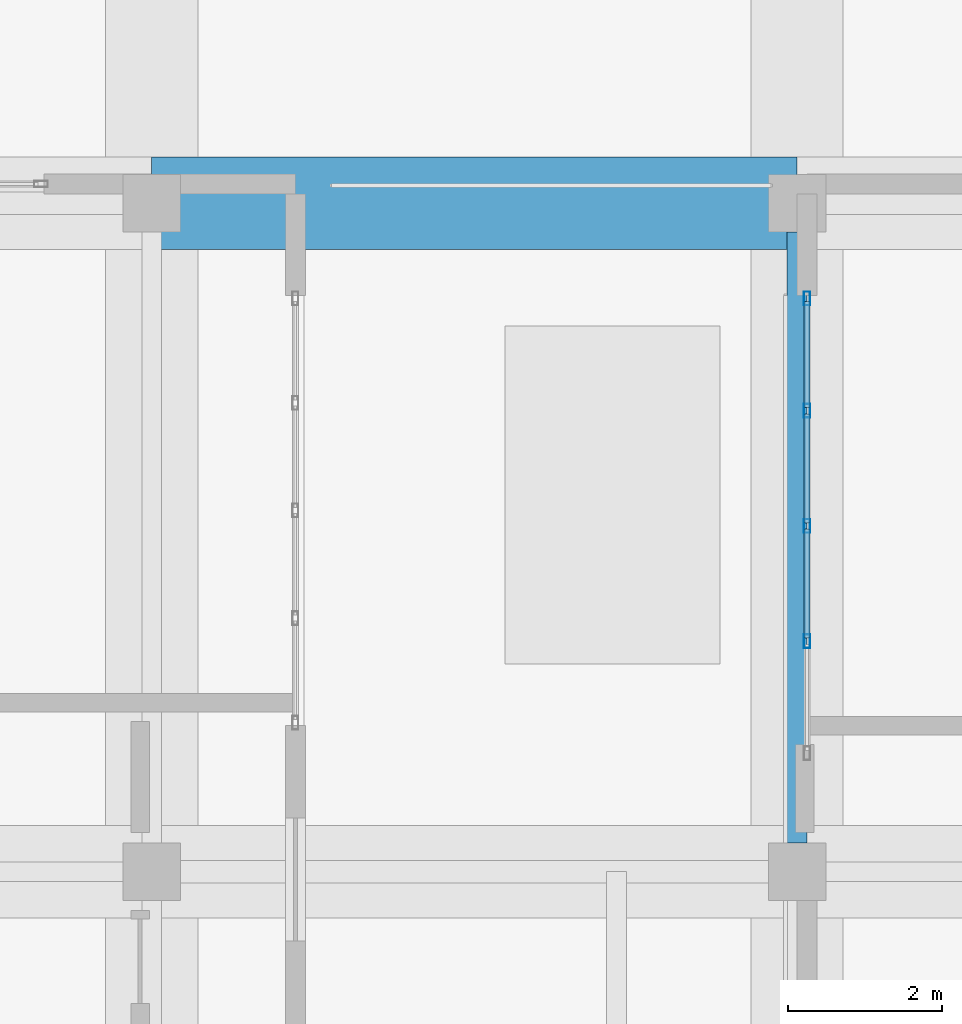
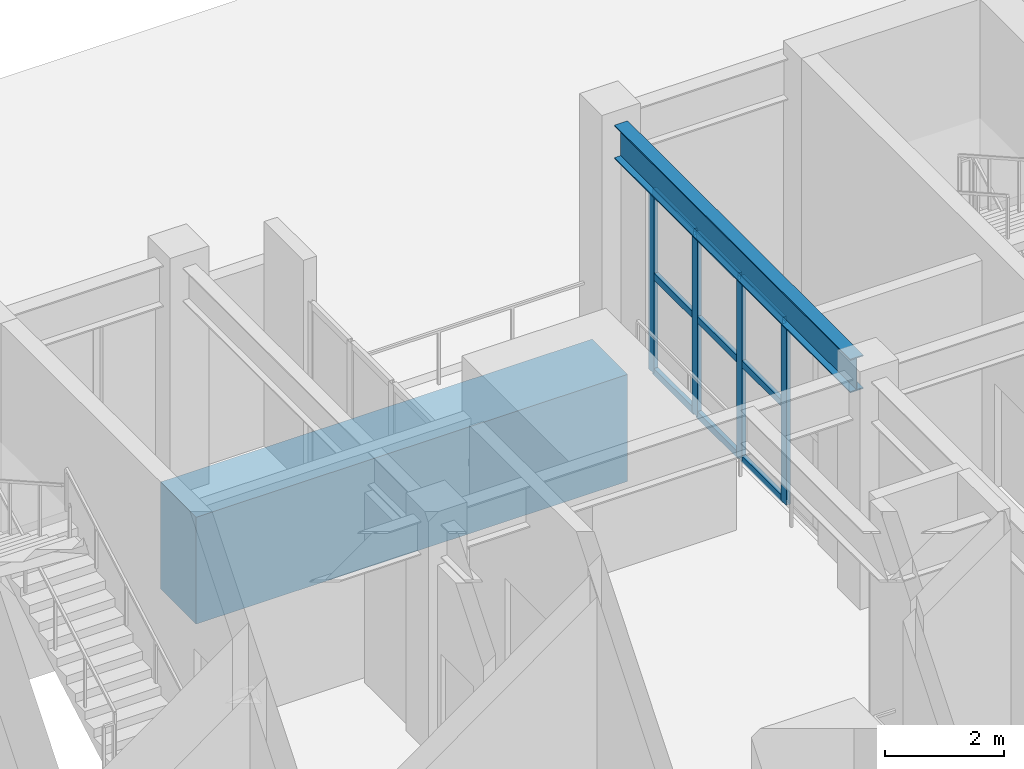
# One storey, part 11 of 16: 13 members, 2 beams, 1 element without a shape of its own.
"""IFC4 building model written with IfcOpenShell, lengths in metres."""

import ifcopenshell
import ifcopenshell.guid

model = None  # the IFC model being written
_history = None  # IfcOwnerHistory: only IFC2X3 demands one
_inside = {}  # id of a spatial element -> (the spatial element, [elements in it])
_under = {}  # id of a project, library or spatial element -> (it, [spatial elements below it])
_declared = {}  # id of a project -> (the project, [libraries it declares])
_typed = {}  # id of a type object -> (the type object, [elements of that type])
_made_of = {}  # id of a material, layer set ... -> (it, [elements and type objects made of it])


def new_model(schema):
    """Start an empty IFC model of exactly this schema.

    Asked for "IFC4X3", IfcOpenShell would pick the latest addendum, in which some entities
    have other attributes; the version numbers below select the first issue.
    IFC2X3 requires an IfcOwnerHistory on every rooted entity: one is made here for all.
    """
    global model, _history
    if schema == "IFC4X3":
        model = ifcopenshell.file(schema_version=(4, 3, 0, 0))
    else:
        model = ifcopenshell.file(schema=schema)
    _inside.clear()
    _under.clear()
    _declared.clear()
    _typed.clear()
    _made_of.clear()
    _history = None
    if model.schema == "IFC2X3":
        org = make("IfcOrganization", Name="unknown")
        user = make(
            "IfcPersonAndOrganization",
            ThePerson=make("IfcPerson", FamilyName="unknown"),
            TheOrganization=org,
        )
        app = make(
            "IfcApplication",
            ApplicationDeveloper=org,
            Version="unknown",
            ApplicationFullName="unknown",
            ApplicationIdentifier="unknown",
        )
        _history = make(
            "IfcOwnerHistory",
            OwningUser=user,
            OwningApplication=app,
            ChangeAction="ADDED",
            CreationDate=0,
        )
    return model


def make(cls, **values):
    """One entity of the class cls with the attributes given. An attribute that is None is left unset."""
    return model.create_entity(
        cls, **{name: value for name, value in values.items() if value is not None}
    )


def rooted(cls, **values):
    """An entity with a GlobalId (a new one), such as an element, a storey or a relation."""
    return make(cls, GlobalId=ifcopenshell.guid.new(), OwnerHistory=_history, **values)


def si_unit(unit_type, name, prefix=None):
    """IfcSIUnit, for example si_unit("LENGTHUNIT", "METRE", prefix="MILLI")."""
    return make("IfcSIUnit", UnitType=unit_type, Prefix=prefix, Name=name)


def assignment(units):
    """IfcUnitAssignment: the units of a project."""
    return None if units is None else make("IfcUnitAssignment", Units=units)


def point(xyz):
    """IfcCartesianPoint."""
    return None if xyz is None else make("IfcCartesianPoint", Coordinates=xyz)


def direction(xyz):
    """IfcDirection."""
    return None if xyz is None else make("IfcDirection", DirectionRatios=xyz)


def frame(location, z_axis=None, x_axis=None):
    """IfcAxis2Placement3D, a coordinate frame: its origin and axes. An axis left out is left unset."""
    return make(
        "IfcAxis2Placement3D",
        Location=point(location),
        Axis=direction(z_axis),
        RefDirection=direction(x_axis),
    )


def frame_2d(location, x_axis=None):
    """IfcAxis2Placement2D, a coordinate frame in the plane: its origin and x axis."""
    return make(
        "IfcAxis2Placement2D", Location=point(location), RefDirection=direction(x_axis)
    )


def origin():
    """The frame at (0, 0, 0) with its axes left unset."""
    return frame((0.0, 0.0, 0.0))


def origin_2d():
    """The frame at (0, 0) in the plane with its x axis left unset."""
    return frame_2d((0.0, 0.0))


def place(relative_to, where):
    """IfcLocalPlacement: puts the frame where relative to a parent placement (None: the world)."""
    return make(
        "IfcLocalPlacement", PlacementRelTo=relative_to, RelativePlacement=where
    )


def context(
    kind, dimensions, precision=None, world=None, true_north=None, identifier=None
):
    """IfcGeometricRepresentationContext, for example the 3D "Model" context."""
    return make(
        "IfcGeometricRepresentationContext",
        ContextIdentifier=identifier,
        ContextType=kind,
        CoordinateSpaceDimension=dimensions,
        Precision=precision,
        WorldCoordinateSystem=world,
        TrueNorth=true_north,
    )


def subcontext(parent, identifier, kind, view, scale=None):
    """IfcGeometricRepresentationSubContext, for example "Body" below "Model"."""
    return make(
        "IfcGeometricRepresentationSubContext",
        ContextIdentifier=identifier,
        ContextType=kind,
        ParentContext=parent,
        TargetScale=scale,
        TargetView=view,
    )


def project(units=None, contexts=None):
    """IfcProject with its units and contexts."""
    return rooted(
        "IfcProject",
        Name="project",
        RepresentationContexts=contexts,
        UnitsInContext=assignment(units),
    )


def spatial(cls, under=None, at=None, **own):
    """A site, building, storey or space (cls), placed at a placement, below another one or the project."""
    s = rooted(cls, ObjectPlacement=at, **own)
    if under is not None:
        _under.setdefault(under.id(), (under, []))[1].append(s)
    return s


def profile(cls, at=None, kind="AREA", **sizes):
    """A parametric profile (cls). Its sizes go by their IFC names, for example OverallWidth=200.0."""
    return make(cls, ProfileType=kind, Position=at, **sizes)


def rectangle(**sizes):
    """IfcRectangleProfileDef."""
    return profile("IfcRectangleProfileDef", **sizes)


def hollow_rectangle(**sizes):
    """IfcRectangleHollowProfileDef."""
    return profile("IfcRectangleHollowProfileDef", **sizes)


def i_section(**sizes):
    """IfcIShapeProfileDef."""
    return profile("IfcIShapeProfileDef", **sizes)


def extrude(swept, where, along, depth):
    """IfcExtrudedAreaSolid: the profile swept, set in the frame where, extruded along a direction by depth."""
    return make(
        "IfcExtrudedAreaSolid",
        SweptArea=swept,
        Position=where,
        ExtrudedDirection=direction(along),
        Depth=depth,
    )


def shape(context_of_items, identifier, shape_type, items):
    """IfcShapeRepresentation: the items that make up one representation, for example the "Body"."""
    return make(
        "IfcShapeRepresentation",
        ContextOfItems=context_of_items,
        RepresentationIdentifier=identifier,
        RepresentationType=shape_type,
        Items=items,
    )


def material(Name=None, Category=None):
    """IfcMaterial."""
    return make("IfcMaterial", Name=Name, Category=Category)


def layer(
    of_material, thickness, ventilated=None, Name=None, Category=None, Priority=None
):
    """IfcMaterialLayer: one layer of a wall or slab, of a material (None: an air gap)."""
    return make(
        "IfcMaterialLayer",
        Material=of_material,
        LayerThickness=thickness,
        IsVentilated=ventilated,
        Name=Name,
        Category=Category,
        Priority=Priority,
    )


def layer_set(layers, Name=None):
    """IfcMaterialLayerSet."""
    return make("IfcMaterialLayerSet", MaterialLayers=layers, LayerSetName=Name)


def material_profile(
    of_material, cross_section, Name=None, Category=None, Priority=None
):
    """IfcMaterialProfile: a cross section and its material."""
    return make(
        "IfcMaterialProfile",
        Name=Name,
        Material=of_material,
        Profile=cross_section,
        Priority=Priority,
        Category=Category,
    )


def profile_set(profiles, Name=None, composite=None):
    """IfcMaterialProfileSet."""
    return make(
        "IfcMaterialProfileSet",
        Name=Name,
        MaterialProfiles=profiles,
        CompositeProfile=composite,
    )


def made_of(thing, what):
    """Note that an element or type object is made of a material, layer set ...; save() writes the relation."""
    if what is not None:
        _made_of.setdefault(what.id(), (what, []))[1].append(thing)
    return thing


def type_object(cls, material=None, **own):
    """A type object (cls), such as IfcWallType, which elements share."""
    return made_of(rooted(cls, **own), material)


def element(
    cls,
    number,
    at=None,
    inside=None,
    cuts=None,
    type_object=None,
    material=None,
    context=None,
    identifier="Body",
    shape_type=None,
    held_by="IfcProductDefinitionShape",
    body=None,
    shapes=None,
    **own,
):
    """One element of the class cls, such as IfcWall. Its Tag is "e" and its number.

    at: its placement. inside: the storey or other place that contains it. cuts: it is an
    opening in that element (IfcRelVoidsElement). A single representation is given by context,
    identifier, shape_type and body (its items); several are given by shapes. held_by: the class
    of the entity that holds the representations. save() writes the other relations.
    """
    e = rooted(cls, Tag="e%d" % number, ObjectPlacement=at, **own)
    if body is not None:
        shapes = [shape(context, identifier, shape_type, body)]
    if shapes is not None:
        e.Representation = make(held_by, Representations=shapes)
    if inside is not None:
        _inside.setdefault(inside.id(), (inside, []))[1].append(e)
    if cuts is not None:
        rooted(
            "IfcRelVoidsElement", RelatingBuildingElement=cuts, RelatedOpeningElement=e
        )
    if type_object is not None:
        _typed.setdefault(type_object.id(), (type_object, []))[1].append(e)
    return made_of(e, material)


def aggregate(whole, parts):
    """IfcRelAggregates: a whole, such as a stair, and the parts it consists of."""
    return rooted("IfcRelAggregates", RelatingObject=whole, RelatedObjects=parts)


def save(model, path):
    """Write the relations noted so far, then the file.

    IfcRelAggregates (storeys below a building ...), IfcRelContainedInSpatialStructure (elements
    in a storey), IfcRelDefinesByType, IfcRelAssociatesMaterial and IfcRelDeclares: one each for
    every whole, place, type object, material and project.
    """
    for whole, parts in _under.values():
        aggregate(whole, parts)
    for where, things in _inside.values():
        rooted(
            "IfcRelContainedInSpatialStructure",
            RelatedElements=things,
            RelatingStructure=where,
        )
    for kind, things in _typed.values():
        rooted("IfcRelDefinesByType", RelatedObjects=things, RelatingType=kind)
    for what, things in _made_of.values():
        rooted("IfcRelAssociatesMaterial", RelatedObjects=things, RelatingMaterial=what)
    for by, libraries in _declared.values():
        rooted("IfcRelDeclares", RelatingContext=by, RelatedDefinitions=libraries)
    model.write(path)


model = new_model("IFC4")

# Units and contexts
model_context = context("Model", 3, precision=1e-05, world=origin(), true_north=direction((0.0, 1.0)))
body_context = subcontext(model_context, "Body", "Model", "MODEL_VIEW")
ifc_project = project(units=[si_unit("LENGTHUNIT", "METRE"), si_unit("AREAUNIT", "SQUARE_METRE"), si_unit("VOLUMEUNIT", "CUBIC_METRE"), si_unit("PLANEANGLEUNIT", "RADIAN"), si_unit("MASSUNIT", "GRAM", prefix="KILO")], contexts=[model_context])

# Site, building, storey
site_placement = place(None, origin())
site = spatial("IfcSite", under=ifc_project, at=site_placement, CompositionType="ELEMENT")
building_placement = place(site_placement, origin())
building = spatial("IfcBuilding", under=site, at=building_placement, Name="Solanera Arch Residences", CompositionType="ELEMENT")
storey_placement = place(building_placement, frame((0.0, 0.0, 278.080078125)))
storey = spatial("IfcBuildingStorey", under=building, at=storey_placement, Name="L80", CompositionType="ELEMENT", Elevation=278.080078125)

# Curtain wall, members
ifc_material_1 = material(Name="Anodised Aluminium Alloy 6063-T6", Category="aluminium")
ifc_layer = layer(ifc_material_1, 0.179931640625)
ifc_layer_set = layer_set([ifc_layer], Name="Anodised Aluminium Alloy 6063-T6")
curtain_wall_type = type_object("IfcCurtainWallType", Name="CW-6 Split-Top Crown Lantern Curtain Wall", PredefinedType="USERDEFINED", material=ifc_layer_set)
curtain_wall_placement = place(storey_placement, origin())
curtain_wall = element("IfcCurtainWall", 1, at=curtain_wall_placement, inside=storey, type_object=curtain_wall_type, Name="L80 E Crown Cleft Lantern Curtain Wall", ObjectType="CURTAIN_WALL", PredefinedType="USERDEFINED")
ifc_material_2 = material(Name="Anodised Aluminium Alloy 6063-T6", Category="aluminium")
ifc_material_profile_1 = material_profile(ifc_material_2, hollow_rectangle(XDim=0.080078125, YDim=0.179931640625, WallThickness=0.00390625, at=origin_2d()))
ifc_profile_set_1 = profile_set([ifc_material_profile_1], Name="Anodised Aluminium Alloy 6063-T6")
member_type_1 = type_object("IfcMemberType", Name="Curtain Wall Mullion ALU-MUL-80X180", PredefinedType="MULLION", material=ifc_profile_set_1)
member_1_placement = place(storey_placement, frame((29.330078125, 33.699951171875, 0.0), z_axis=(0.0, 0.0, 1.0), x_axis=(-1.0, 0.0, 0.0)))
member_1 = element("IfcMember", 2, at=member_1_placement, type_object=member_type_1, Name="CW-6 mullion 2", PredefinedType="MULLION", context=body_context, shape_type="SweptSolid", body=[
    extrude(hollow_rectangle(XDim=0.080078125, YDim=0.179931640625, WallThickness=0.00390625, at=origin_2d()), origin(), (0.0, 0.0, 1.0), 3.760009765625),
])
member_2_placement = place(storey_placement, frame((29.330078125, 35.199951171875, 0.0), z_axis=(0.0, 0.0, 1.0), x_axis=(-1.0, 0.0, 0.0)))
member_2 = element("IfcMember", 3, at=member_2_placement, type_object=member_type_1, Name="CW-6 mullion 3", PredefinedType="MULLION", context=body_context, shape_type="SweptSolid", body=[
    extrude(hollow_rectangle(XDim=0.080078125, YDim=0.179931640625, WallThickness=0.00390625, at=origin_2d()), origin(), (0.0, 0.0, 1.0), 3.760009765625),
])
member_3_placement = place(storey_placement, frame((29.330078125, 36.699951171875, 0.0), z_axis=(0.0, 0.0, 1.0), x_axis=(-1.0, 0.0, 0.0)))
member_3 = element("IfcMember", 4, at=member_3_placement, type_object=member_type_1, Name="CW-6 mullion 4", PredefinedType="MULLION", context=body_context, shape_type="SweptSolid", body=[
    extrude(hollow_rectangle(XDim=0.080078125, YDim=0.179931640625, WallThickness=0.00390625, at=origin_2d()), origin(), (0.0, 0.0, 1.0), 3.760009765625),
])
member_4_placement = place(storey_placement, frame((29.330078125, 38.159912109375, 0.0), z_axis=(0.0, 0.0, 1.0), x_axis=(-1.0, 0.0, 0.0)))
member_4 = element("IfcMember", 5, at=member_4_placement, type_object=member_type_1, Name="CW-6 mullion 5", PredefinedType="MULLION", context=body_context, shape_type="SweptSolid", body=[
    extrude(hollow_rectangle(XDim=0.080078125, YDim=0.179931640625, WallThickness=0.00390625, at=origin_2d()), origin(), (0.0, 0.0, 1.0), 3.760009765625),
])
ifc_material_3 = material(Name="Anodised Aluminium Alloy 6063-T6", Category="aluminium")
ifc_material_profile_2 = material_profile(ifc_material_3, hollow_rectangle(XDim=0.080078125, YDim=0.139892578125, WallThickness=0.00390625, at=origin_2d()))
ifc_profile_set_2 = profile_set([ifc_material_profile_2], Name="Anodised Aluminium Alloy 6063-T6")
member_type_2 = type_object("IfcMemberType", Name="Curtain Wall Transom ALU-TRN-80X140", PredefinedType="USERDEFINED", material=ifc_profile_set_2)
member_5_placement = place(storey_placement, frame((29.330078125, 33.739990234375, 0.0400390625), z_axis=(0.0, 1.0, 0.0), x_axis=(-1.0, 0.0, 0.0)))
member_5 = element("IfcMember", 6, at=member_5_placement, type_object=member_type_2, Name="CW-6 transom 2.1", ObjectType="TRANSOM", PredefinedType="USERDEFINED", context=body_context, shape_type="SweptSolid", body=[
    extrude(hollow_rectangle(XDim=0.080078125, YDim=0.139892578125, WallThickness=0.00390625, at=origin_2d()), origin(), (0.0, 0.0, 1.0), 1.419921875),
])
member_6_placement = place(storey_placement, frame((29.330078125, 33.739990234375, 2.0), z_axis=(0.0, 1.0, 0.0), x_axis=(-1.0, 0.0, 0.0)))
member_6 = element("IfcMember", 7, at=member_6_placement, type_object=member_type_2, Name="CW-6 transom 2.2", ObjectType="TRANSOM", PredefinedType="USERDEFINED", context=body_context, shape_type="SweptSolid", body=[
    extrude(hollow_rectangle(XDim=0.080078125, YDim=0.139892578125, WallThickness=0.00390625, at=origin_2d()), origin(), (0.0, 0.0, 1.0), 1.419921875),
])
member_7_placement = place(storey_placement, frame((29.330078125, 33.739990234375, 3.719970703125), z_axis=(0.0, 1.0, 0.0), x_axis=(-1.0, 0.0, 0.0)))
member_7 = element("IfcMember", 8, at=member_7_placement, type_object=member_type_2, Name="CW-6 transom 2.3", ObjectType="TRANSOM", PredefinedType="USERDEFINED", context=body_context, shape_type="SweptSolid", body=[
    extrude(hollow_rectangle(XDim=0.080078125, YDim=0.139892578125, WallThickness=0.00390625, at=origin_2d()), origin(), (0.0, 0.0, 1.0), 1.419921875),
])
member_8_placement = place(storey_placement, frame((29.330078125, 35.239990234375, 0.0400390625), z_axis=(0.0, 1.0, 0.0), x_axis=(-1.0, 0.0, 0.0)))
member_8 = element("IfcMember", 9, at=member_8_placement, type_object=member_type_2, Name="CW-6 transom 3.1", ObjectType="TRANSOM", PredefinedType="USERDEFINED", context=body_context, shape_type="SweptSolid", body=[
    extrude(hollow_rectangle(XDim=0.080078125, YDim=0.139892578125, WallThickness=0.00390625, at=origin_2d()), origin(), (0.0, 0.0, 1.0), 1.419921875),
])
member_9_placement = place(storey_placement, frame((29.330078125, 35.239990234375, 2.0), z_axis=(0.0, 1.0, 0.0), x_axis=(-1.0, 0.0, 0.0)))
member_9 = element("IfcMember", 10, at=member_9_placement, type_object=member_type_2, Name="CW-6 transom 3.2", ObjectType="TRANSOM", PredefinedType="USERDEFINED", context=body_context, shape_type="SweptSolid", body=[
    extrude(hollow_rectangle(XDim=0.080078125, YDim=0.139892578125, WallThickness=0.00390625, at=origin_2d()), origin(), (0.0, 0.0, 1.0), 1.419921875),
])
member_10_placement = place(storey_placement, frame((29.330078125, 35.239990234375, 3.719970703125), z_axis=(0.0, 1.0, 0.0), x_axis=(-1.0, 0.0, 0.0)))
member_10 = element("IfcMember", 11, at=member_10_placement, type_object=member_type_2, Name="CW-6 transom 3.3", ObjectType="TRANSOM", PredefinedType="USERDEFINED", context=body_context, shape_type="SweptSolid", body=[
    extrude(hollow_rectangle(XDim=0.080078125, YDim=0.139892578125, WallThickness=0.00390625, at=origin_2d()), origin(), (0.0, 0.0, 1.0), 1.419921875),
])
member_11_placement = place(storey_placement, frame((29.330078125, 36.739990234375, 0.0400390625), z_axis=(0.0, 1.0, 0.0), x_axis=(-1.0, 0.0, 0.0)))
member_11 = element("IfcMember", 12, at=member_11_placement, type_object=member_type_2, Name="CW-6 transom 4.1", ObjectType="TRANSOM", PredefinedType="USERDEFINED", context=body_context, shape_type="SweptSolid", body=[
    extrude(hollow_rectangle(XDim=0.080078125, YDim=0.139892578125, WallThickness=0.00390625, at=origin_2d()), origin(), (0.0, 0.0, 1.0), 1.380126953125),
])
member_12_placement = place(storey_placement, frame((29.330078125, 36.739990234375, 2.0), z_axis=(0.0, 1.0, 0.0), x_axis=(-1.0, 0.0, 0.0)))
member_12 = element("IfcMember", 13, at=member_12_placement, type_object=member_type_2, Name="CW-6 transom 4.2", ObjectType="TRANSOM", PredefinedType="USERDEFINED", context=body_context, shape_type="SweptSolid", body=[
    extrude(hollow_rectangle(XDim=0.080078125, YDim=0.139892578125, WallThickness=0.00390625, at=origin_2d()), origin(), (0.0, 0.0, 1.0), 1.380126953125),
])
member_13_placement = place(storey_placement, frame((29.330078125, 36.739990234375, 3.719970703125), z_axis=(0.0, 1.0, 0.0), x_axis=(-1.0, 0.0, 0.0)))
member_13 = element("IfcMember", 14, at=member_13_placement, type_object=member_type_2, Name="CW-6 transom 4.3", ObjectType="TRANSOM", PredefinedType="USERDEFINED", context=body_context, shape_type="SweptSolid", body=[
    extrude(hollow_rectangle(XDim=0.080078125, YDim=0.139892578125, WallThickness=0.00390625, at=origin_2d()), origin(), (0.0, 0.0, 1.0), 1.380126953125),
])
aggregate(curtain_wall, [member_1, member_2, member_3, member_4, member_5, member_6, member_7, member_8, member_9, member_10, member_11, member_12, member_13])

# Beams
ifc_material_4 = material(Name="Steel S355 (ASTM A992 / A572 Grade 50)", Category="steel")
ifc_material_profile_3 = material_profile(ifc_material_4, i_section(OverallWidth=0.256103515625, OverallDepth=0.693115234375, WebThickness=0.014404296875, FlangeThickness=0.023681640625, at=origin_2d()))
ifc_profile_set_3 = profile_set([ifc_material_profile_3], Name="Steel S355 (ASTM A992 / A572 Grade 50)")
beam_type_1 = type_object("IfcBeamType", Name="Primary Beam W690X170", PredefinedType="BEAM", material=ifc_profile_set_3)
beam_1_placement = place(storey_placement, frame((29.199951171875, 31.074951171875, 4.27294921875), z_axis=(0.0, 1.0, 0.0), x_axis=(-1.0, 0.0, 0.0)))
element("IfcBeam", 15, at=beam_1_placement, inside=storey, type_object=beam_type_1, Name="BM-L80-CR-E2", PredefinedType="BEAM", context=body_context, shape_type="SweptSolid", body=[
    extrude(i_section(OverallWidth=0.256103515625, OverallDepth=0.693115234375, WebThickness=0.014404296875, FlangeThickness=0.023681640625, at=origin_2d()), origin(), (0.0, 0.0, 1.0), 7.949951171875),
])
ifc_material_5 = material(Name="Concrete C55/67 (f'c = 60 MPa)", Category="concrete")
ifc_material_profile_4 = material_profile(ifc_material_5, rectangle(XDim=1.199951171875, YDim=2.199951171875, at=origin_2d()))
ifc_profile_set_4 = profile_set([ifc_material_profile_4], Name="Concrete C55/67 (f'c = 60 MPa)")
beam_type_2 = type_object("IfcBeamType", Name="Transfer Girder RC-BM-1200X2200", PredefinedType="BEAM", material=ifc_profile_set_4)
beam_2_placement = place(storey_placement, frame((20.800048828125, 39.39990234375, -1.52001953125), z_axis=(1.0, 0.0, 0.0), x_axis=(0.0, 1.0, 0.0)))
element("IfcBeam", 16, at=beam_2_placement, inside=storey, type_object=beam_type_2, Name="BM-L80-CRX-EWCC-394", PredefinedType="BEAM", context=body_context, shape_type="SweptSolid", body=[
    extrude(rectangle(XDim=1.199951171875, YDim=2.199951171875, at=origin_2d()), origin(), (0.0, 0.0, 1.0), 8.39990234375),
])

save(model, "model.ifc")
